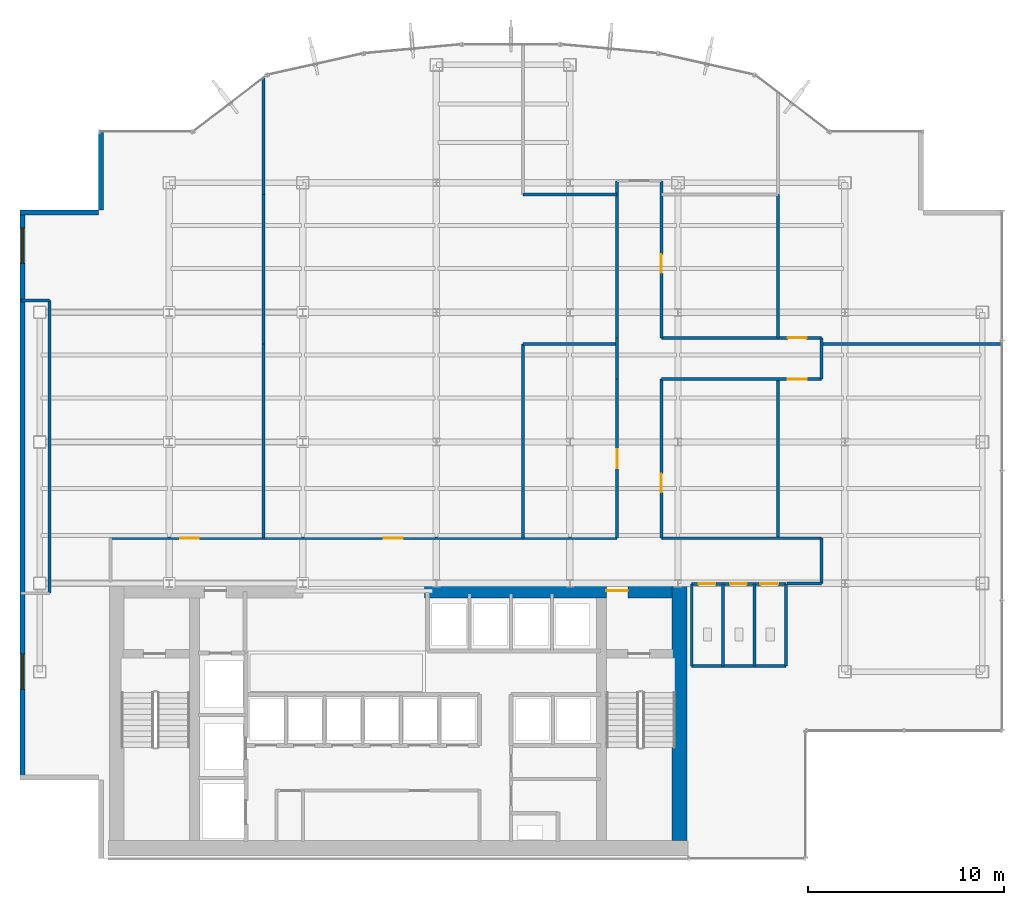
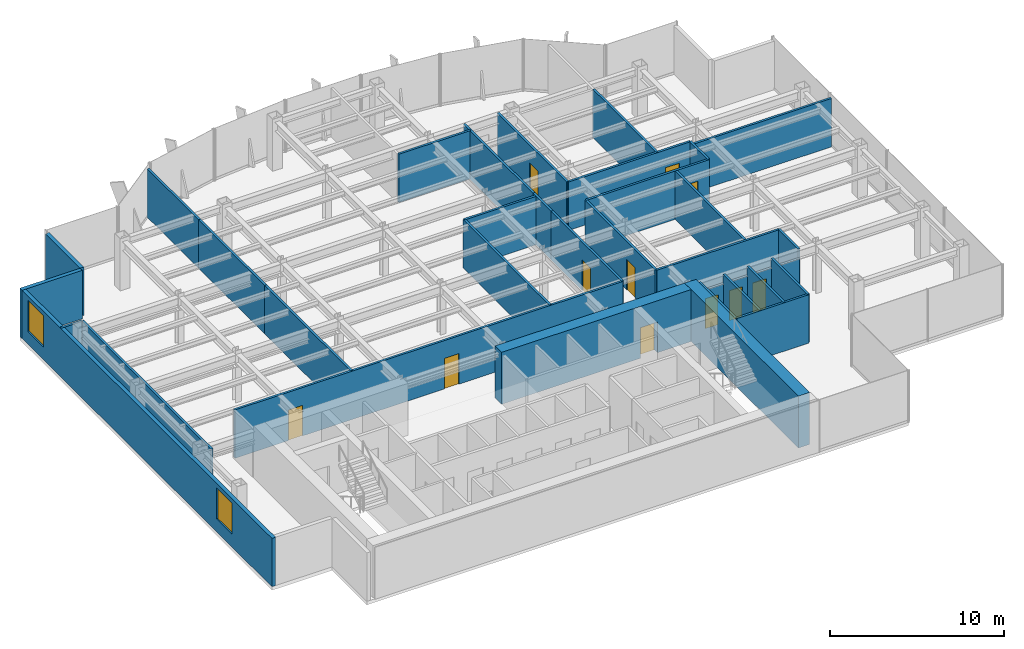
# One storey, part 15 of 19: 34 walls, 11 doors, 2 windows, 13 openings.
"""IFC4 building model written with IfcOpenShell, lengths in metres."""

from ifc_helpers import new_model, si_unit, derived_unit, direction, frame, frame_2d, origin, place, context, subcontext, project, spatial, rectangle, extrude, source, transform, mapped, material, layer, layer_set, type_object, element, fill, save


model = new_model("IFC4")

# Units and contexts
model_context = context("Model", 3, precision=1e-05, world=origin(), true_north=direction((0.0, 1.0)))
body_context = subcontext(model_context, "Body", "Model", "MODEL_VIEW")
ifc_project = project(units=[si_unit("LENGTHUNIT", "METRE"), si_unit("AREAUNIT", "SQUARE_METRE"), si_unit("VOLUMEUNIT", "CUBIC_METRE"), si_unit("PLANEANGLEUNIT", "RADIAN"), si_unit("MASSUNIT", "GRAM", prefix="KILO"), derived_unit("THERMALTRANSMITTANCEUNIT", [(si_unit("POWERUNIT", "WATT"), 1), (si_unit("LENGTHUNIT", "METRE"), -2), (si_unit("THERMODYNAMICTEMPERATUREUNIT", "KELVIN"), -1)])], contexts=[model_context])

# Site, building, storey
site_placement = place(None, origin())
site = spatial("IfcSite", under=ifc_project, at=site_placement, CompositionType="ELEMENT")
building_placement = place(site_placement, origin())
building = spatial("IfcBuilding", under=site, at=building_placement, Name="Skarnbrae Concourse Arena and Tower", CompositionType="ELEMENT")
storey_placement = place(building_placement, frame((0.0, 0.0, 180.75)))
storey = spatial("IfcBuildingStorey", under=building, at=storey_placement, Name="L46", CompositionType="ELEMENT", Elevation=180.75)

# Wall
ifc_material_1 = material(Name="Concrete 60 MPa (C60/75)", Category="concrete")
ifc_layer_1 = layer(ifc_material_1, 0.75)
ifc_layer_set_1 = layer_set([ifc_layer_1], Name="Concrete 60 MPa (C60/75)")
wall_type_1 = type_object("IfcWallType", Name="WALL-CORE-750-C60", PredefinedType="SHEAR", material=ifc_layer_set_1)
shared_shape_1 = source(origin(), body_context, "Body", "SweptSolid", [
    extrude(rectangle(XDim=13.10009765625, YDim=0.75, at=frame_2d((6.550048828125, 0.0))), origin(), (0.0, 0.0, 1.0), 3.64990234375),
])
wall_1_placement = place(storey_placement, frame((33.574951171875, 0.89990234375, 0.0), z_axis=(0.0, 0.0, 1.0), x_axis=(0.0, 1.0, 0.0)))
element("IfcWall", 1, at=wall_1_placement, inside=storey, type_object=wall_type_1, Name="L46 Rear core shear wall CW-E", PredefinedType="SHEAR", context=body_context, shape_type="MappedRepresentation", body=[
    mapped(shared_shape_1, transform((0.0, 0.0, 0.0))),
])

# Wall, opening, door
shared_shape_2 = source(origin(), body_context, "Body", "SweptSolid", [
    extrude(rectangle(XDim=12.599853515625, YDim=0.75, at=frame_2d((6.2998046875, 0.0))), origin(), (0.0, 0.0, 1.0), 3.64990234375),
])
wall_2_placement = place(storey_placement, frame((20.60009765625, 13.625, 0.0), z_axis=(0.0, 0.0, 1.0), x_axis=(1.0, 0.0, 0.0)))
wall_2 = element("IfcWall", 2, at=wall_2_placement, inside=storey, type_object=wall_type_1, Name="L46 Rear core shear wall CW-NE", PredefinedType="SHEAR", context=body_context, shape_type="MappedRepresentation", body=[
    mapped(shared_shape_2, transform((0.0, 0.0, 0.0))),
])
opening_1_placement = place(wall_2_placement, frame((9.25, 0.0, 0.0)))
opening_1 = element("IfcOpeningElement", 3, at=opening_1_placement, cuts=wall_2, Name="Opening DT-03", PredefinedType="OPENING", context=body_context, shape_type="SweptSolid", body=[
    extrude(rectangle(XDim=1.10009765625, YDim=2.14990234375, at=frame_2d((0.550048828125, 1.074951171875))), frame((0.0, 0.385009765625, 0.0), z_axis=(0.0, -1.0, 0.0), x_axis=(1.0, 0.0, 0.0)), (0.0, 0.0, 1.0), 0.77001953125),
])
ifc_material_2 = material(Name="Steel CSA G40.21 350W", Category="steel")
door_type_1 = type_object("IfcDoorType", Name="DOOR-FIRE-1100-90M", OperationType="NOTDEFINED", PredefinedType="DOOR", material=ifc_material_2)
shared_shape_3 = source(origin(), body_context, "Body", "SweptSolid", [
    extrude(rectangle(XDim=1.10009765625, YDim=2.14990234375, at=frame_2d((0.550048828125, 1.074951171875))), frame((0.0, 0.02490234375, 0.0), z_axis=(0.0, -1.0, 0.0), x_axis=(1.0, 0.0, 0.0)), (0.0, 0.0, 1.0), 0.050048828125),
])
door_1_placement = place(opening_1_placement, origin())
door_1 = element("IfcDoor", 4, at=door_1_placement, inside=storey, type_object=door_type_1, Name="D-1409 Stair ST-2 Vestibule Door", OperationType="SINGLE_SWING_LEFT", OverallHeight=2.14990234375, OverallWidth=1.10009765625, PredefinedType="DOOR", context=body_context, shape_type="MappedRepresentation", body=[
    mapped(shared_shape_3, transform((0.0, 0.0, 0.0))),
])
fill(opening_1, door_1)

# Walls
ifc_material_3 = material(Name="Precast concrete 40 MPa (C40/50)", Category="concrete")
ifc_layer_2 = layer(ifc_material_3, 0.25)
ifc_layer_set_2 = layer_set([ifc_layer_2], Name="Precast concrete 40 MPa (C40/50)")
wall_type_2 = type_object("IfcWallType", Name="WALL-EXT-SPANDREL-250", PredefinedType="STANDARD", material=ifc_layer_set_2)
shared_shape_4 = source(origin(), body_context, "Body", "SweptSolid", [
    extrude(rectangle(XDim=4.0, YDim=0.25, at=frame_2d((2.0, 0.0))), origin(), (0.0, 0.0, 1.0), 3.39990234375),
])
for number, where, z_axis, x_axis, name in (
    (5, (4.125, 37.0, 0.0), (0.0, 0.0, 1.0), (0.0, -1.0, 0.0), "L46 Notched corner insulated return wall 16"),
    (6, (4.0, 32.875, 0.0), (0.0, 0.0, 1.0), (-1.0, 0.0, 0.0), "L46 Notched corner insulated return wall 17"),
):
    element("IfcWall", number, at=place(storey_placement, frame(where, z_axis=z_axis, x_axis=x_axis)), inside=storey, type_object=wall_type_2, Name=name, PredefinedType="STANDARD", context=body_context, shape_type="MappedRepresentation", body=[
        mapped(shared_shape_4, transform((0.0, 0.0, 0.0))),
    ])

# Wall, openings, windows
shared_shape_5 = source(origin(), body_context, "Body", "SweptSolid", [
    extrude(rectangle(XDim=29.0, YDim=0.25, at=frame_2d((14.5, 0.0))), origin(), (0.0, 0.0, 1.0), 3.39990234375),
])
wall_3_placement = place(storey_placement, frame((0.125, 33.0, 0.0), z_axis=(0.0, 0.0, 1.0), x_axis=(0.0, -1.0, 0.0)))
wall_3 = element("IfcWall", 7, at=wall_3_placement, inside=storey, type_object=wall_type_2, Name="L46 Sky Pool west structural spandrel wall", PredefinedType="STANDARD", context=body_context, shape_type="MappedRepresentation", body=[
    mapped(shared_shape_5, transform((0.0, 0.0, 0.0))),
])
opening_2_placement = place(wall_3_placement, frame((0.89990234375, 0.0, 0.89990234375)))
opening_2 = element("IfcOpeningElement", 8, at=opening_2_placement, cuts=wall_3, Name="Opening WN-01", PredefinedType="OPENING", context=body_context, shape_type="SweptSolid", body=[
    extrude(rectangle(XDim=1.800048828125, YDim=2.199951171875, at=frame_2d((0.89990234375, 1.10009765625))), frame((0.0, 0.135009765625, 0.0), z_axis=(0.0, -1.0, 0.0), x_axis=(1.0, 0.0, 0.0)), (0.0, 0.0, 1.0), 0.27001953125),
])
opening_3_placement = place(wall_3_placement, frame((22.60009765625, 0.0, 0.89990234375)))
opening_3 = element("IfcOpeningElement", 9, at=opening_3_placement, cuts=wall_3, Name="Opening WN-01", PredefinedType="OPENING", context=body_context, shape_type="SweptSolid", body=[
    extrude(rectangle(XDim=1.800048828125, YDim=2.199951171875, at=frame_2d((0.89990234375, 1.10009765625))), frame((0.0, 0.135009765625, 0.0), z_axis=(0.0, -1.0, 0.0), x_axis=(1.0, 0.0, 0.0)), (0.0, 0.0, 1.0), 0.27001953125),
])
ifc_material_4 = material(Name="Low-E triple insulating glass", Category="glass")
window_type = type_object("IfcWindowType", Name="WIN-EXT-1800X2200", PartitioningType="SINGLE_PANEL", PredefinedType="WINDOW", material=ifc_material_4)
shared_shape_6 = source(origin(), body_context, "Body", "SweptSolid", [
    extrude(rectangle(XDim=1.800048828125, YDim=2.199951171875, at=frame_2d((0.89990234375, 1.10009765625))), frame((0.0, 0.030029296875, 0.0), z_axis=(0.0, -1.0, 0.0), x_axis=(1.0, 0.0, 0.0)), (0.0, 0.0, 1.0), 0.06005859375),
])
window_1_placement = place(opening_2_placement, origin())
window_1 = element("IfcWindow", 10, at=window_1_placement, inside=storey, type_object=window_type, Name="L46 West flank window 1", OverallHeight=2.199951171875, OverallWidth=1.800048828125, PartitioningType="SINGLE_PANEL", PredefinedType="WINDOW", context=body_context, shape_type="MappedRepresentation", body=[
    mapped(shared_shape_6, transform((0.0, 0.0, 0.0))),
])
fill(opening_2, window_1)
window_2_placement = place(opening_3_placement, origin())
window_2 = element("IfcWindow", 11, at=window_2_placement, inside=storey, type_object=window_type, Name="L46 West flank window 2", OverallHeight=2.199951171875, OverallWidth=1.800048828125, PartitioningType="SINGLE_PANEL", PredefinedType="WINDOW", context=body_context, shape_type="MappedRepresentation", body=[
    mapped(shared_shape_6, transform((0.0, 0.0, 0.0))),
])
fill(opening_3, window_2)

# Walls
ifc_material_5 = material(Name="Gypsum board on cold-formed steel studs", Category="steel")
ifc_layer_3 = layer(ifc_material_5, 0.14990234375)
ifc_layer_set_3 = layer_set([ifc_layer_3], Name="Gypsum board on cold-formed steel studs")
wall_type_3 = type_object("IfcWallType", Name="WALL-PART-150", PredefinedType="PARTITIONING", material=ifc_layer_set_3)
shared_shape_7 = source(origin(), body_context, "Body", "SweptSolid", [
    extrude(rectangle(XDim=4.800048828125, YDim=0.14990234375, at=frame_2d((2.39990234375, 0.0))), origin(), (0.0, 0.0, 1.0), 3.39990234375),
])
wall_4_placement = place(storey_placement, frame((34.199951171875, 9.800048828125, 0.0), z_axis=(0.0, 0.0, 1.0), x_axis=(1.0, 0.0, 0.0)))
element("IfcWall", 12, at=wall_4_placement, inside=storey, type_object=wall_type_3, Name="L46 Interior partition wall W-L46-WC-S", PredefinedType="PARTITIONING", context=body_context, shape_type="MappedRepresentation", body=[
    mapped(shared_shape_7, transform((0.0, 0.0, 0.0))),
])
shared_shape_8 = source(origin(), body_context, "Body", "SweptSolid", [
    extrude(rectangle(XDim=4.179931640625, YDim=0.14990234375, at=frame_2d((2.08984375, 0.0))), origin(), (0.0, 0.0, 1.0), 3.39990234375),
])
for number, where, z_axis, x_axis, name in (
    (13, (39.0, 9.800048828125, 0.0), (0.0, 0.0, 1.0), (0.0, 1.0, 0.0), "L46 Interior partition wall W-L46-WC-E"),
    (14, (34.199951171875, 9.800048828125, 0.0), (0.0, 0.0, 1.0), (0.0, 1.0, 0.0), "L46 Interior partition wall W-L46-WC-W"),
    (15, (35.800048828125, 9.800048828125, 0.0), (0.0, 0.0, 1.0), (0.0, 1.0, 0.0), "L46 Interior partition wall W-L46-WC-D1"),
    (16, (37.39990234375, 9.800048828125, 0.0), (0.0, 0.0, 1.0), (0.0, 1.0, 0.0), "L46 Interior partition wall W-L46-WC-D2"),
):
    element("IfcWall", number, at=place(storey_placement, frame(where, z_axis=z_axis, x_axis=x_axis)), inside=storey, type_object=wall_type_3, Name=name, PredefinedType="PARTITIONING", context=body_context, shape_type="MappedRepresentation", body=[
        mapped(shared_shape_8, transform((0.0, 0.0, 0.0))),
    ])
ifc_layer_4 = layer(ifc_material_5, 0.14990234375)
ifc_layer_set_4 = layer_set([ifc_layer_4], Name="Gypsum board on cold-formed steel studs")
wall_type_4 = type_object("IfcWallType", Name="WALL-PART-150-1HR", PredefinedType="PARTITIONING", material=ifc_layer_set_4)
shared_shape_9 = source(origin(), body_context, "Body", "SweptSolid", [
    extrude(rectangle(XDim=2.10009765625, YDim=0.14990234375, at=frame_2d((1.050048828125, 0.0))), origin(), (0.0, 0.0, 1.0), 3.39990234375),
])
for number, where, z_axis, x_axis, name in (
    (17, (30.39990234375, 24.39990234375, 0.0), (0.0, 0.0, 1.0), (0.0, 1.0, 0.0), "L46 Interior partition wall W-L46-COR-04"),
    (18, (40.800048828125, 26.5, 0.0), (0.0, 0.0, 1.0), (0.0, -1.0, 0.0), "L46 Interior partition wall W-L46-COR-09"),
):
    element("IfcWall", number, at=place(storey_placement, frame(where, z_axis=z_axis, x_axis=x_axis)), inside=storey, type_object=wall_type_4, Name=name, PredefinedType="PARTITIONING", context=body_context, shape_type="MappedRepresentation", body=[
        mapped(shared_shape_9, transform((0.0, 0.0, 0.0))),
    ])
shared_shape_10 = source(origin(), body_context, "Body", "SweptSolid", [
    extrude(rectangle(XDim=2.300048828125, YDim=0.14990234375, at=frame_2d((1.14990234375, 0.0))), origin(), (0.0, 0.0, 1.0), 3.39990234375),
])
wall_5_placement = place(storey_placement, frame((40.800048828125, 16.300048828125, 0.0), z_axis=(0.0, 0.0, 1.0), x_axis=(0.0, -1.0, 0.0)))
element("IfcWall", 19, at=wall_5_placement, inside=storey, type_object=wall_type_4, Name="L46 Interior partition wall W-L46-COR-13", PredefinedType="PARTITIONING", context=body_context, shape_type="MappedRepresentation", body=[
    mapped(shared_shape_10, transform((0.0, 0.0, 0.0))),
])

# Wall, openings, doors
shared_shape_11 = source(origin(), body_context, "Body", "SweptSolid", [
    extrude(rectangle(XDim=25.7998046875, YDim=0.14990234375, at=frame_2d((12.89990234375, 0.0))), origin(), (0.0, 0.0, 1.0), 3.39990234375),
])
wall_6_placement = place(storey_placement, frame((4.60009765625, 16.300048828125, 0.0), z_axis=(0.0, 0.0, 1.0), x_axis=(1.0, 0.0, 0.0)))
wall_6 = element("IfcWall", 20, at=wall_6_placement, inside=storey, type_object=wall_type_4, Name="L46 Interior partition wall W-L46-COR-02", PredefinedType="PARTITIONING", context=body_context, shape_type="MappedRepresentation", body=[
    mapped(shared_shape_11, transform((0.0, 0.0, 0.0))),
])
opening_4_placement = place(wall_6_placement, frame((3.554931640625, 0.0, 0.0)))
opening_4 = element("IfcOpeningElement", 21, at=opening_4_placement, cuts=wall_6, Name="Opening DT-04", PredefinedType="OPENING", context=body_context, shape_type="SweptSolid", body=[
    extrude(rectangle(XDim=0.949951171875, YDim=2.14990234375, at=frame_2d((0.47509765625, 1.074951171875))), frame((0.0, 0.0849609375, 0.0), z_axis=(0.0, -1.0, 0.0), x_axis=(1.0, 0.0, 0.0)), (0.0, 0.0, 1.0), 0.169921875),
])
opening_5_placement = place(wall_6_placement, frame((13.925048828125, 0.0, 0.0)))
opening_5 = element("IfcOpeningElement", 22, at=opening_5_placement, cuts=wall_6, Name="Opening DT-04", PredefinedType="OPENING", context=body_context, shape_type="SweptSolid", body=[
    extrude(rectangle(XDim=0.949951171875, YDim=2.14990234375, at=frame_2d((0.47509765625, 1.074951171875))), frame((0.0, 0.0849609375, 0.0), z_axis=(0.0, -1.0, 0.0), x_axis=(1.0, 0.0, 0.0)), (0.0, 0.0, 1.0), 0.169921875),
])
door_type_2 = type_object("IfcDoorType", Name="DOOR-INT-950-45M", OperationType="NOTDEFINED", PredefinedType="DOOR", material=ifc_material_2)
shared_shape_12 = source(origin(), body_context, "Body", "SweptSolid", [
    extrude(rectangle(XDim=0.949951171875, YDim=2.14990234375, at=frame_2d((0.47509765625, 1.074951171875))), frame((0.0, 0.02490234375, 0.0), z_axis=(0.0, -1.0, 0.0), x_axis=(1.0, 0.0, 0.0)), (0.0, 0.0, 1.0), 0.050048828125),
])
door_2_placement = place(opening_4_placement, origin())
door_2 = element("IfcDoor", 23, at=door_2_placement, inside=storey, type_object=door_type_2, Name="D-1426 L46 Suite Door 01", OperationType="SINGLE_SWING_RIGHT", OverallHeight=2.14990234375, OverallWidth=0.949951171875, PredefinedType="DOOR", context=body_context, shape_type="MappedRepresentation", body=[
    mapped(shared_shape_12, transform((0.0, 0.0, 0.0))),
])
fill(opening_4, door_2)
door_3_placement = place(opening_5_placement, origin())
door_3 = element("IfcDoor", 24, at=door_3_placement, inside=storey, type_object=door_type_2, Name="D-1427 L46 Suite Door 02", OperationType="SINGLE_SWING_LEFT", OverallHeight=2.14990234375, OverallWidth=0.949951171875, PredefinedType="DOOR", context=body_context, shape_type="MappedRepresentation", body=[
    mapped(shared_shape_12, transform((0.0, 0.0, 0.0))),
])
fill(opening_5, door_3)

# Wall, opening, door
shared_shape_13 = source(origin(), body_context, "Body", "SweptSolid", [
    extrude(rectangle(XDim=8.099853515625, YDim=0.14990234375, at=frame_2d((4.0498046875, 0.0))), origin(), (0.0, 0.0, 1.0), 3.39990234375),
])
wall_7_placement = place(storey_placement, frame((30.39990234375, 16.300048828125, 0.0), z_axis=(0.0, 0.0, 1.0), x_axis=(0.0, 1.0, 0.0)))
wall_7 = element("IfcWall", 25, at=wall_7_placement, inside=storey, type_object=wall_type_4, Name="L46 Interior partition wall W-L46-COR-03", PredefinedType="PARTITIONING", context=body_context, shape_type="MappedRepresentation", body=[
    mapped(shared_shape_13, transform((0.0, 0.0, 0.0))),
])
opening_6_placement = place(wall_7_placement, frame((3.574951171875, 0.0, 0.0)))
opening_6 = element("IfcOpeningElement", 26, at=opening_6_placement, cuts=wall_7, Name="Opening DT-04", PredefinedType="OPENING", context=body_context, shape_type="SweptSolid", body=[
    extrude(rectangle(XDim=0.949951171875, YDim=2.14990234375, at=frame_2d((0.47509765625, 1.074951171875))), frame((0.0, 0.0849609375, 0.0), z_axis=(0.0, -1.0, 0.0), x_axis=(1.0, 0.0, 0.0)), (0.0, 0.0, 1.0), 0.169921875),
])
door_4_placement = place(opening_6_placement, origin())
door_4 = element("IfcDoor", 27, at=door_4_placement, inside=storey, type_object=door_type_2, Name="D-1428 L46 Suite Door 03", OperationType="SINGLE_SWING_RIGHT", OverallHeight=2.14990234375, OverallWidth=0.949951171875, PredefinedType="DOOR", context=body_context, shape_type="MappedRepresentation", body=[
    mapped(shared_shape_12, transform((0.0, 0.0, 0.0))),
])
fill(opening_6, door_4)

wall_8_placement = place(storey_placement, frame((32.64990234375, 24.39990234375, 0.0), z_axis=(0.0, 0.0, 1.0), x_axis=(0.0, -1.0, 0.0)))
wall_8 = element("IfcWall", 28, at=wall_8_placement, inside=storey, type_object=wall_type_4, Name="L46 Interior partition wall W-L46-COR-11", PredefinedType="PARTITIONING", context=body_context, shape_type="MappedRepresentation", body=[
    mapped(shared_shape_13, transform((0.0, 0.0, 0.0))),
])
opening_7_placement = place(wall_8_placement, frame((4.81201171875, 0.0, 0.0)))
opening_7 = element("IfcOpeningElement", 29, at=opening_7_placement, cuts=wall_8, Name="Opening DT-04", PredefinedType="OPENING", context=body_context, shape_type="SweptSolid", body=[
    extrude(rectangle(XDim=0.949951171875, YDim=2.14990234375, at=frame_2d((0.47509765625, 1.074951171875))), frame((0.0, 0.0849609375, 0.0), z_axis=(0.0, -1.0, 0.0), x_axis=(1.0, 0.0, 0.0)), (0.0, 0.0, 1.0), 0.169921875),
])
door_5_placement = place(opening_7_placement, origin())
door_5 = element("IfcDoor", 30, at=door_5_placement, inside=storey, type_object=door_type_2, Name="D-1430 L46 Suite Door 05", OperationType="SINGLE_SWING_RIGHT", OverallHeight=2.14990234375, OverallWidth=0.949951171875, PredefinedType="DOOR", context=body_context, shape_type="MappedRepresentation", body=[
    mapped(shared_shape_12, transform((0.0, 0.0, 0.0))),
])
fill(opening_7, door_5)

# Walls
wall_9_placement = place(storey_placement, frame((38.60009765625, 24.39990234375, 0.0), z_axis=(0.0, 0.0, 1.0), x_axis=(0.0, -1.0, 0.0)))
element("IfcWall", 31, at=wall_9_placement, inside=storey, type_object=wall_type_3, Name="L46 Interior partition wall W-L46-DEM-23", PredefinedType="PARTITIONING", context=body_context, shape_type="MappedRepresentation", body=[
    mapped(shared_shape_13, transform((0.0, 0.0, 0.0))),
])
shared_shape_14 = source(origin(), body_context, "Body", "SweptSolid", [
    extrude(rectangle(XDim=8.0, YDim=0.14990234375, at=frame_2d((4.0, 0.0))), origin(), (0.0, 0.0, 1.0), 3.39990234375),
])
wall_10_placement = place(storey_placement, frame((30.39990234375, 26.5, 0.0), z_axis=(0.0, 0.0, 1.0), x_axis=(0.0, 1.0, 0.0)))
element("IfcWall", 32, at=wall_10_placement, inside=storey, type_object=wall_type_4, Name="L46 Interior partition wall W-L46-COR-05", PredefinedType="PARTITIONING", context=body_context, shape_type="MappedRepresentation", body=[
    mapped(shared_shape_14, transform((0.0, 0.0, 0.0))),
])

# Wall, opening, door
wall_11_placement = place(storey_placement, frame((32.64990234375, 34.5, 0.0), z_axis=(0.0, 0.0, 1.0), x_axis=(0.0, -1.0, 0.0)))
wall_11 = element("IfcWall", 33, at=wall_11_placement, inside=storey, type_object=wall_type_4, Name="L46 Interior partition wall W-L46-COR-07", PredefinedType="PARTITIONING", context=body_context, shape_type="MappedRepresentation", body=[
    mapped(shared_shape_14, transform((0.0, 0.0, 0.0))),
])
opening_8_placement = place(wall_11_placement, frame((3.7451171875, 0.0, 0.0)))
opening_8 = element("IfcOpeningElement", 34, at=opening_8_placement, cuts=wall_11, Name="Opening DT-04", PredefinedType="OPENING", context=body_context, shape_type="SweptSolid", body=[
    extrude(rectangle(XDim=0.949951171875, YDim=2.14990234375, at=frame_2d((0.47509765625, 1.074951171875))), frame((0.0, 0.0849609375, 0.0), z_axis=(0.0, -1.0, 0.0), x_axis=(1.0, 0.0, 0.0)), (0.0, 0.0, 1.0), 0.169921875),
])
door_6_placement = place(opening_8_placement, origin())
door_6 = element("IfcDoor", 35, at=door_6_placement, inside=storey, type_object=door_type_2, Name="D-1431 L46 Suite Door 06", OperationType="SINGLE_SWING_LEFT", OverallHeight=2.14990234375, OverallWidth=0.949951171875, PredefinedType="DOOR", context=body_context, shape_type="MappedRepresentation", body=[
    mapped(shared_shape_12, transform((0.0, 0.0, 0.0))),
])
fill(opening_8, door_6)

shared_shape_15 = source(origin(), body_context, "Body", "SweptSolid", [
    extrude(rectangle(XDim=8.150146484375, YDim=0.14990234375, at=frame_2d((4.0751953125, 0.0))), origin(), (0.0, 0.0, 1.0), 3.39990234375),
])
wall_12_placement = place(storey_placement, frame((32.64990234375, 26.5, 0.0), z_axis=(0.0, 0.0, 1.0), x_axis=(1.0, 0.0, 0.0)))
wall_12 = element("IfcWall", 36, at=wall_12_placement, inside=storey, type_object=wall_type_4, Name="L46 Interior partition wall W-L46-COR-08", PredefinedType="PARTITIONING", context=body_context, shape_type="MappedRepresentation", body=[
    mapped(shared_shape_15, transform((0.0, 0.0, 0.0))),
])
opening_9_placement = place(wall_12_placement, frame((6.445068359375, 0.0, 0.0)))
opening_9 = element("IfcOpeningElement", 37, at=opening_9_placement, cuts=wall_12, Name="Opening DT-04", PredefinedType="OPENING", context=body_context, shape_type="SweptSolid", body=[
    extrude(rectangle(XDim=0.949951171875, YDim=2.14990234375, at=frame_2d((0.47509765625, 1.074951171875))), frame((0.0, 0.0849609375, 0.0), z_axis=(0.0, -1.0, 0.0), x_axis=(1.0, 0.0, 0.0)), (0.0, 0.0, 1.0), 0.169921875),
])
door_7_placement = place(opening_9_placement, origin())
door_7 = element("IfcDoor", 38, at=door_7_placement, inside=storey, type_object=door_type_2, Name="D-1433 L46 Suite Door 08", OperationType="SINGLE_SWING_LEFT", OverallHeight=2.14990234375, OverallWidth=0.949951171875, PredefinedType="DOOR", context=body_context, shape_type="MappedRepresentation", body=[
    mapped(shared_shape_12, transform((0.0, 0.0, 0.0))),
])
fill(opening_9, door_7)

wall_13_placement = place(storey_placement, frame((40.800048828125, 24.39990234375, 0.0), z_axis=(0.0, 0.0, 1.0), x_axis=(-1.0, 0.0, 0.0)))
wall_13 = element("IfcWall", 39, at=wall_13_placement, inside=storey, type_object=wall_type_4, Name="L46 Interior partition wall W-L46-COR-10", PredefinedType="PARTITIONING", context=body_context, shape_type="MappedRepresentation", body=[
    mapped(shared_shape_15, transform((0.0, 0.0, 0.0))),
])
opening_10_placement = place(wall_13_placement, frame((0.7548828125, 0.0, 0.0)))
opening_10 = element("IfcOpeningElement", 40, at=opening_10_placement, cuts=wall_13, Name="Opening DT-04", PredefinedType="OPENING", context=body_context, shape_type="SweptSolid", body=[
    extrude(rectangle(XDim=0.949951171875, YDim=2.14990234375, at=frame_2d((0.47509765625, 1.074951171875))), frame((0.0, 0.0849609375, 0.0), z_axis=(0.0, -1.0, 0.0), x_axis=(1.0, 0.0, 0.0)), (0.0, 0.0, 1.0), 0.169921875),
])
door_8_placement = place(opening_10_placement, origin())
door_8 = element("IfcDoor", 41, at=door_8_placement, inside=storey, type_object=door_type_2, Name="D-1432 L46 Suite Door 07", OperationType="SINGLE_SWING_RIGHT", OverallHeight=2.14990234375, OverallWidth=0.949951171875, PredefinedType="DOOR", context=body_context, shape_type="MappedRepresentation", body=[
    mapped(shared_shape_12, transform((0.0, 0.0, 0.0))),
])
fill(opening_10, door_8)

# Wall
wall_14_placement = place(storey_placement, frame((32.64990234375, 16.300048828125, 0.0), z_axis=(0.0, 0.0, 1.0), x_axis=(1.0, 0.0, 0.0)))
element("IfcWall", 42, at=wall_14_placement, inside=storey, type_object=wall_type_4, Name="L46 Interior partition wall W-L46-COR-12", PredefinedType="PARTITIONING", context=body_context, shape_type="MappedRepresentation", body=[
    mapped(shared_shape_15, transform((0.0, 0.0, 0.0))),
])

# Wall, openings, doors
shared_shape_16 = source(origin(), body_context, "Body", "SweptSolid", [
    extrude(rectangle(XDim=4.800048828125, YDim=0.14990234375, at=frame_2d((2.39990234375, 0.0))), origin(), (0.0, 0.0, 1.0), 2.760009765625),
])
wall_15_placement = place(storey_placement, frame((34.199951171875, 13.97998046875, 0.0), z_axis=(0.0, 0.0, 1.0), x_axis=(1.0, 0.0, 0.0)))
wall_15 = element("IfcWall", 43, at=wall_15_placement, inside=storey, type_object=wall_type_3, Name="L46 Interior partition wall W-L46-WC-N", PredefinedType="PARTITIONING", context=body_context, shape_type="MappedRepresentation", body=[
    mapped(shared_shape_16, transform((0.0, 0.0, 0.0))),
])
opening_11_placement = place(wall_15_placement, frame((0.35009765625, 0.0, 0.0)))
opening_11 = element("IfcOpeningElement", 44, at=opening_11_placement, cuts=wall_15, Name="Opening DT-06", PredefinedType="OPENING", context=body_context, shape_type="SweptSolid", body=[
    extrude(rectangle(XDim=0.85009765625, YDim=2.10009765625, at=frame_2d((0.425048828125, 1.050048828125))), frame((0.0, 0.0849609375, 0.0), z_axis=(0.0, -1.0, 0.0), x_axis=(1.0, 0.0, 0.0)), (0.0, 0.0, 1.0), 0.169921875),
])
opening_12_placement = place(wall_15_placement, frame((1.949951171875, 0.0, 0.0)))
opening_12 = element("IfcOpeningElement", 45, at=opening_12_placement, cuts=wall_15, Name="Opening DT-06", PredefinedType="OPENING", context=body_context, shape_type="SweptSolid", body=[
    extrude(rectangle(XDim=0.85009765625, YDim=2.10009765625, at=frame_2d((0.425048828125, 1.050048828125))), frame((0.0, 0.0849609375, 0.0), z_axis=(0.0, -1.0, 0.0), x_axis=(1.0, 0.0, 0.0)), (0.0, 0.0, 1.0), 0.169921875),
])
opening_13_placement = place(wall_15_placement, frame((3.5, 0.0, 0.0)))
opening_13 = element("IfcOpeningElement", 46, at=opening_13_placement, cuts=wall_15, Name="Opening DT-05", PredefinedType="OPENING", context=body_context, shape_type="SweptSolid", body=[
    extrude(rectangle(XDim=0.89990234375, YDim=2.10009765625, at=frame_2d((0.449951171875, 1.050048828125))), frame((0.0, 0.0849609375, 0.0), z_axis=(0.0, -1.0, 0.0), x_axis=(1.0, 0.0, 0.0)), (0.0, 0.0, 1.0), 0.169921875),
])
ifc_material_6 = material(Name="Architectural oak veneer timber leaf", Category="wood")
door_type_3 = type_object("IfcDoorType", Name="DOOR-INT-850", OperationType="NOTDEFINED", PredefinedType="DOOR", material=ifc_material_6)
shared_shape_17 = source(origin(), body_context, "Body", "SweptSolid", [
    extrude(rectangle(XDim=0.85009765625, YDim=2.10009765625, at=frame_2d((0.425048828125, 1.050048828125))), frame((0.0, 0.02490234375, 0.0), z_axis=(0.0, -1.0, 0.0), x_axis=(1.0, 0.0, 0.0)), (0.0, 0.0, 1.0), 0.050048828125),
])
door_9_placement = place(opening_11_placement, frame((0.85009765625, 0.0, 0.0), z_axis=(0.0, 0.0, 1.0), x_axis=(-1.0, 0.0, 0.0)))
door_9 = element("IfcDoor", 47, at=door_9_placement, inside=storey, type_object=door_type_3, Name="D-1423 Male Washroom Door", OperationType="SINGLE_SWING_LEFT", OverallHeight=2.10009765625, OverallWidth=0.85009765625, PredefinedType="DOOR", context=body_context, shape_type="MappedRepresentation", body=[
    mapped(shared_shape_17, transform((0.0, 0.0, 0.0))),
])
fill(opening_11, door_9)
door_10_placement = place(opening_12_placement, frame((0.85009765625, 0.0, 0.0), z_axis=(0.0, 0.0, 1.0), x_axis=(-1.0, 0.0, 0.0)))
door_10 = element("IfcDoor", 48, at=door_10_placement, inside=storey, type_object=door_type_3, Name="D-1424 Female Washroom Door", OperationType="SINGLE_SWING_RIGHT", OverallHeight=2.10009765625, OverallWidth=0.85009765625, PredefinedType="DOOR", context=body_context, shape_type="MappedRepresentation", body=[
    mapped(shared_shape_17, transform((0.0, 0.0, 0.0))),
])
fill(opening_12, door_10)
door_type_4 = type_object("IfcDoorType", Name="DOOR-INT-900", OperationType="NOTDEFINED", PredefinedType="DOOR", material=ifc_material_6)
shared_shape_18 = source(origin(), body_context, "Body", "SweptSolid", [
    extrude(rectangle(XDim=0.89990234375, YDim=2.10009765625, at=frame_2d((0.449951171875, 1.050048828125))), frame((0.0, 0.02490234375, 0.0), z_axis=(0.0, -1.0, 0.0), x_axis=(1.0, 0.0, 0.0)), (0.0, 0.0, 1.0), 0.050048828125),
])
door_11_placement = place(opening_13_placement, frame((0.89990234375, 0.0, 0.0), z_axis=(0.0, 0.0, 1.0), x_axis=(-1.0, 0.0, 0.0)))
door_11 = element("IfcDoor", 49, at=door_11_placement, inside=storey, type_object=door_type_4, Name="D-1425 Accessible WC Door", OperationType="SINGLE_SWING_LEFT", OverallHeight=2.10009765625, OverallWidth=0.89990234375, PredefinedType="DOOR", context=body_context, shape_type="MappedRepresentation", body=[
    mapped(shared_shape_18, transform((0.0, 0.0, 0.0))),
])
fill(opening_13, door_11)

# Walls
shared_shape_19 = source(origin(), body_context, "Body", "SweptSolid", [
    extrude(rectangle(XDim=1.75, YDim=0.14990234375, at=frame_2d((0.875, 0.0))), origin(), (0.0, 0.0, 1.0), 2.760009765625),
])
wall_16_placement = place(storey_placement, frame((40.800048828125, 14.0, 0.0), z_axis=(0.0, 0.0, 1.0), x_axis=(-1.0, 0.0, 0.0)))
element("IfcWall", 50, at=wall_16_placement, inside=storey, type_object=wall_type_4, Name="L46 Interior partition wall W-L46-COR-14", PredefinedType="PARTITIONING", context=body_context, shape_type="MappedRepresentation", body=[
    mapped(shared_shape_19, transform((0.0, 0.0, 0.0))),
])
shared_shape_20 = source(origin(), body_context, "Body", "SweptSolid", [
    extrude(rectangle(XDim=5.922119140625, YDim=0.14990234375, at=frame_2d((2.9609375, 0.0))), origin(), (0.0, 0.0, 1.0), 3.39990234375),
])
wall_17_placement = place(storey_placement, frame((12.39990234375, 39.72216796875, 0.0), z_axis=(0.0, 0.0, 1.0), x_axis=(0.0, -1.0, 0.0)))
element("IfcWall", 51, at=wall_17_placement, inside=storey, type_object=wall_type_3, Name="L46 Interior partition wall W-L46-DEM-15", PredefinedType="PARTITIONING", context=body_context, shape_type="MappedRepresentation", body=[
    mapped(shared_shape_20, transform((0.0, 0.0, 0.0))),
])
shared_shape_21 = source(origin(), body_context, "Body", "SweptSolid", [
    extrude(rectangle(XDim=7.60009765625, YDim=0.14990234375, at=frame_2d((3.800048828125, 0.0))), origin(), (0.0, 0.0, 1.0), 3.39990234375),
])
wall_18_placement = place(storey_placement, frame((12.39990234375, 33.800048828125, 0.0), z_axis=(0.0, 0.0, 1.0), x_axis=(0.0, -1.0, 0.0)))
element("IfcWall", 52, at=wall_18_placement, inside=storey, type_object=wall_type_3, Name="L46 Interior partition wall W-L46-DEM-16", PredefinedType="PARTITIONING", context=body_context, shape_type="MappedRepresentation", body=[
    mapped(shared_shape_21, transform((0.0, 0.0, 0.0))),
])
shared_shape_22 = source(origin(), body_context, "Body", "SweptSolid", [
    extrude(rectangle(XDim=9.89990234375, YDim=0.14990234375, at=frame_2d((4.949951171875, 0.0))), origin(), (0.0, 0.0, 1.0), 3.39990234375),
])
for number, where, z_axis, x_axis, name in (
    (53, (12.39990234375, 26.199951171875, 0.0), (0.0, 0.0, 1.0), (0.0, -1.0, 0.0), "L46 Interior partition wall W-L46-DEM-17"),
    (54, (25.60009765625, 26.199951171875, 0.0), (0.0, 0.0, 1.0), (0.0, -1.0, 0.0), "L46 Interior partition wall W-L46-DEM-19"),
):
    element("IfcWall", number, at=place(storey_placement, frame(where, z_axis=z_axis, x_axis=x_axis)), inside=storey, type_object=wall_type_3, Name=name, PredefinedType="PARTITIONING", context=body_context, shape_type="MappedRepresentation", body=[
        mapped(shared_shape_22, transform((0.0, 0.0, 0.0))),
    ])
shared_shape_23 = source(origin(), body_context, "Body", "SweptSolid", [
    extrude(rectangle(XDim=4.7998046875, YDim=0.14990234375, at=frame_2d((2.39990234375, 0.0))), origin(), (0.0, 0.0, 1.0), 3.39990234375),
])
for number, where, z_axis, x_axis, name in (
    (55, (30.39990234375, 26.199951171875, 0.0), (0.0, 0.0, 1.0), (-1.0, 0.0, 0.0), "L46 Interior partition wall W-L46-DEM-18"),
    (56, (25.60009765625, 33.800048828125, 0.0), (0.0, 0.0, 1.0), (1.0, 0.0, 0.0), "L46 Interior partition wall W-L46-DEM-21"),
):
    element("IfcWall", number, at=place(storey_placement, frame(where, z_axis=z_axis, x_axis=x_axis)), inside=storey, type_object=wall_type_3, Name=name, PredefinedType="PARTITIONING", context=body_context, shape_type="MappedRepresentation", body=[
        mapped(shared_shape_23, transform((0.0, 0.0, 0.0))),
    ])
shared_shape_24 = source(origin(), body_context, "Body", "SweptSolid", [
    extrude(rectangle(XDim=7.300048828125, YDim=0.14990234375, at=frame_2d((3.64990234375, 0.0))), origin(), (0.0, 0.0, 1.0), 3.39990234375),
])
wall_19_placement = place(storey_placement, frame((38.60009765625, 33.800048828125, 0.0), z_axis=(0.0, 0.0, 1.0), x_axis=(0.0, -1.0, 0.0)))
element("IfcWall", 57, at=wall_19_placement, inside=storey, type_object=wall_type_3, Name="L46 Interior partition wall W-L46-DEM-24", PredefinedType="PARTITIONING", context=body_context, shape_type="MappedRepresentation", body=[
    mapped(shared_shape_24, transform((0.0, 0.0, 0.0))),
])
shared_shape_25 = source(origin(), body_context, "Body", "SweptSolid", [
    extrude(rectangle(XDim=9.179931640625, YDim=0.14990234375, at=frame_2d((4.58984375, 0.0))), origin(), (0.0, 0.0, 1.0), 3.39990234375),
])
wall_20_placement = place(storey_placement, frame((40.800048828125, 26.199951171875, 0.0), z_axis=(0.0, 0.0, 1.0), x_axis=(1.0, 0.0, 0.0)))
element("IfcWall", 58, at=wall_20_placement, inside=storey, type_object=wall_type_3, Name="L46 Interior partition wall W-L46-DEM-26", PredefinedType="PARTITIONING", context=body_context, shape_type="MappedRepresentation", body=[
    mapped(shared_shape_25, transform((0.0, 0.0, 0.0))),
])
shared_shape_26 = source(origin(), body_context, "Body", "SweptSolid", [
    extrude(rectangle(XDim=14.89990234375, YDim=0.14990234375, at=frame_2d((7.449951171875, 0.0))), origin(), (0.0, 0.0, 1.0), 3.39990234375),
])
wall_21_placement = place(storey_placement, frame((1.5, 13.5, 0.0), z_axis=(0.0, 0.0, 1.0), x_axis=(0.0, 1.0, 0.0)))
element("IfcWall", 59, at=wall_21_placement, inside=storey, type_object=wall_type_4, Name="L46 Interior partition wall W-L46-PCH-E", PredefinedType="PARTITIONING", context=body_context, shape_type="MappedRepresentation", body=[
    mapped(shared_shape_26, transform((0.0, 0.0, 0.0))),
])
shared_shape_27 = source(origin(), body_context, "Body", "SweptSolid", [
    extrude(rectangle(XDim=1.449951171875, YDim=0.14990234375, at=frame_2d((0.72509765625, 0.0))), origin(), (0.0, 0.0, 1.0), 3.39990234375),
])
wall_22_placement = place(storey_placement, frame((0.050048828125, 28.39990234375, 0.0), z_axis=(0.0, 0.0, 1.0), x_axis=(1.0, 0.0, 0.0)))
element("IfcWall", 60, at=wall_22_placement, inside=storey, type_object=wall_type_4, Name="L46 Interior partition wall W-L46-PCH-N", PredefinedType="PARTITIONING", context=body_context, shape_type="MappedRepresentation", body=[
    mapped(shared_shape_27, transform((0.0, 0.0, 0.0))),
])

save(model, "model.ifc")
